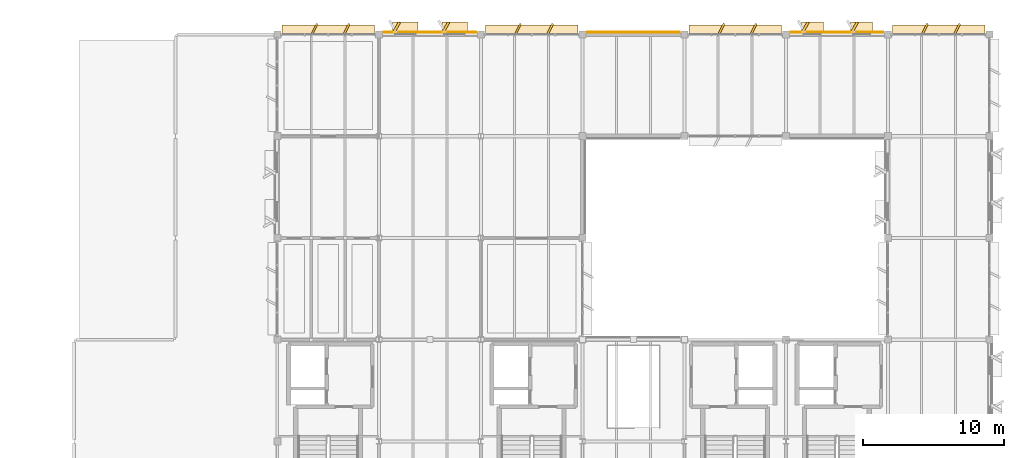
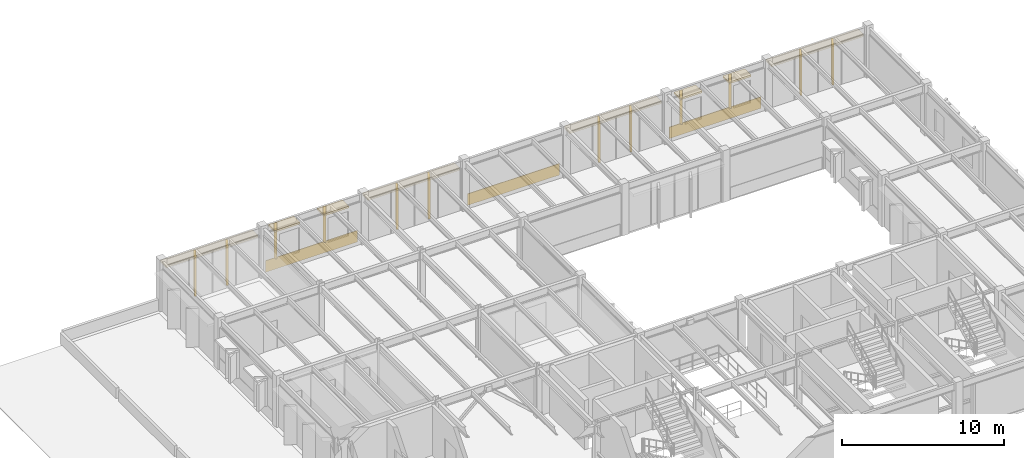
# One storey, part 23 of 23: 23 coverings.
"""IFC4 building model written with IfcOpenShell, lengths in metres."""

from ifc_helpers import new_model, si_unit, direction, frame, frame_2d, origin, place, context, subcontext, project, spatial, rectangle, extrude, material, layer, layer_set, type_object, element, save


model = new_model("IFC4")

# Units and contexts
model_context = context("Model", 3, precision=1e-05, world=origin(), true_north=direction((0.0, 1.0)))
body_context = subcontext(model_context, "Body", "Model", "MODEL_VIEW")
ifc_project = project(units=[si_unit("LENGTHUNIT", "METRE"), si_unit("AREAUNIT", "SQUARE_METRE"), si_unit("VOLUMEUNIT", "CUBIC_METRE"), si_unit("PLANEANGLEUNIT", "RADIAN"), si_unit("MASSUNIT", "GRAM", prefix="KILO")], contexts=[model_context])

# Site, building, storey
site_placement = place(None, origin())
site = spatial("IfcSite", under=ifc_project, at=site_placement, CompositionType="ELEMENT")
building_placement = place(site_placement, origin())
building = spatial("IfcBuilding", under=site, at=building_placement, Name="Sillqori Civic Hall", CompositionType="ELEMENT")
storey_placement = place(building_placement, frame((0.0, 0.0, 21.89990234375)))
storey = spatial("IfcBuildingStorey", under=building, at=storey_placement, Name="L06", CompositionType="ELEMENT", Elevation=21.89990234375)

# Coverings
ifc_material = material(Name="Cochabamba Honed Limestone Cladding", Category="masonry")
ifc_layer = layer(ifc_material, 0.044921875)
ifc_layer_set = layer_set([ifc_layer], Name="Cochabamba Honed Limestone Cladding")
covering_type = type_object("IfcCoveringType", Name="COV-CLAD-LIME", PredefinedType="CLADDING", material=ifc_layer_set)
covering_1_placement = place(storey_placement, frame((50.72998046875, 115.52001953125, 2.9921875), z_axis=(0.0, 0.0, 1.0), x_axis=(1.0, 0.0, 0.0)))
element("IfcCovering", 1, at=covering_1_placement, inside=storey, type_object=covering_type, Name="L06 curtain-wall limestone solar hood L06-07-15-N", PredefinedType="CLADDING", context=body_context, shape_type="SweptSolid", body=[
    extrude(rectangle(XDim=6.5400390625, YDim=0.679931640625, at=frame_2d((3.27001953125, 0.0))), origin(), (0.0, 0.0, 1.0), 0.179931640625),
])
for number, where, z_axis, x_axis, name in (
    (2, (52.861083984375, 115.25, 0.06005859375), (0.0, 0.0, 1.0), (0.44709226377, 0.894487846579, 0.0), "L06 curtain-wall angled stone fin L06-07-15-N.1"),
    (3, (55.138916015625, 115.25, 0.06005859375), (0.0, 0.0, 1.0), (0.447334902547, 0.894366527193, 0.0), "L06 curtain-wall angled stone fin L06-07-15-N.2"),
):
    element("IfcCovering", number, at=place(storey_placement, frame(where, z_axis=z_axis, x_axis=x_axis)), inside=storey, type_object=covering_type, Name=name, PredefinedType="CLADDING", context=body_context, shape_type="SweptSolid", body=[
        extrude(rectangle(XDim=0.804931640625, YDim=0.139892578125, at=frame_2d((0.40234375, 0.0))), origin(), (0.0, 0.0, 1.0), 2.93212890625),
    ])
covering_2_placement = place(storey_placement, frame((57.929931640625, 115.360107421875, 0.0400390625), z_axis=(0.0, 0.0, 1.0), x_axis=(1.0, 0.0, 0.0)))
element("IfcCovering", 4, at=covering_2_placement, inside=storey, type_object=covering_type, Name="L06 limestone spandrel cladding L06-08-15-N", PredefinedType="CLADDING", context=body_context, shape_type="SweptSolid", body=[
    extrude(rectangle(XDim=6.5400390625, YDim=0.044921875, at=frame_2d((3.27001953125, 0.0))), origin(), (0.0, 0.0, 1.0), 0.860107421875),
])
covering_3_placement = place(storey_placement, frame((58.613037109375, 115.320068359375, 0.830078125), z_axis=(0.0, 0.0, 1.0), x_axis=(0.500062241894, 0.865989465428, 0.0)))
element("IfcCovering", 5, at=covering_3_placement, inside=storey, type_object=covering_type, Name="Sawtooth limestone angled reveal cheek L06-08-15-N.1", PredefinedType="CLADDING", context=body_context, shape_type="SweptSolid", body=[
    extrude(rectangle(XDim=0.85009765625, YDim=0.179931640625, at=frame_2d((0.425048828125, 0.0))), origin(), (0.0, 0.0, 1.0), 2.14990234375),
])
covering_4_placement = place(storey_placement, frame((58.552978515625, 115.699951171875, 2.840087890625), z_axis=(0.0, 0.0, 1.0), x_axis=(1.0, 0.0, 0.0)))
element("IfcCovering", 6, at=covering_4_placement, inside=storey, type_object=covering_type, Name="Sawtooth limestone window hood L06-08-15-N.1", PredefinedType="CLADDING", context=body_context, shape_type="SweptSolid", body=[
    extrude(rectangle(XDim=1.81005859375, YDim=0.780029296875, at=frame_2d((0.905029296875, 0.0))), origin(), (0.0, 0.0, 1.0), 0.139892578125),
])
covering_5_placement = place(storey_placement, frame((62.096923828125, 115.320068359375, 0.830078125), z_axis=(0.0, 0.0, 1.0), x_axis=(0.500062241894, 0.865989465428, 0.0)))
element("IfcCovering", 7, at=covering_5_placement, inside=storey, type_object=covering_type, Name="Sawtooth limestone angled reveal cheek L06-08-15-N.2", PredefinedType="CLADDING", context=body_context, shape_type="SweptSolid", body=[
    extrude(rectangle(XDim=0.85009765625, YDim=0.179931640625, at=frame_2d((0.425048828125, 0.0))), origin(), (0.0, 0.0, 1.0), 2.14990234375),
])
covering_6_placement = place(storey_placement, frame((62.037109375, 115.699951171875, 2.840087890625), z_axis=(0.0, 0.0, 1.0), x_axis=(1.0, 0.0, 0.0)))
element("IfcCovering", 8, at=covering_6_placement, inside=storey, type_object=covering_type, Name="Sawtooth limestone window hood L06-08-15-N.2", PredefinedType="CLADDING", context=body_context, shape_type="SweptSolid", body=[
    extrude(rectangle(XDim=1.809814453125, YDim=0.780029296875, at=frame_2d((0.90478515625, 0.0))), origin(), (0.0, 0.0, 1.0), 0.139892578125),
])
covering_7_placement = place(storey_placement, frame((65.1298828125, 115.52001953125, 3.01220703125), z_axis=(0.0, 0.0, 1.0), x_axis=(1.0, 0.0, 0.0)))
element("IfcCovering", 9, at=covering_7_placement, inside=storey, type_object=covering_type, Name="L06 curtain-wall limestone solar hood L06-09-15-N", PredefinedType="CLADDING", context=body_context, shape_type="SweptSolid", body=[
    extrude(rectangle(XDim=6.5400390625, YDim=0.679931640625, at=frame_2d((3.27001953125, 0.0))), origin(), (0.0, 0.0, 1.0), 0.179931640625),
])
for number, where, z_axis, x_axis, name in (
    (10, (67.260986328125, 115.25, 0.06005859375), (0.0, 0.0, 1.0), (0.447334902547, 0.894366527193, 0.0), "L06 curtain-wall angled stone fin L06-09-15-N.1"),
    (11, (69.5390625, 115.25, 0.06005859375), (0.0, 0.0, 1.0), (0.44709226377, 0.894487846579, 0.0), "L06 curtain-wall angled stone fin L06-09-15-N.2"),
):
    element("IfcCovering", number, at=place(storey_placement, frame(where, z_axis=z_axis, x_axis=x_axis)), inside=storey, type_object=covering_type, Name=name, PredefinedType="CLADDING", context=body_context, shape_type="SweptSolid", body=[
        extrude(rectangle(XDim=0.804931640625, YDim=0.139892578125, at=frame_2d((0.40234375, 0.0))), origin(), (0.0, 0.0, 1.0), 2.9521484375),
    ])
covering_8_placement = place(storey_placement, frame((72.330078125, 115.360107421875, 0.0400390625), z_axis=(0.0, 0.0, 1.0), x_axis=(1.0, 0.0, 0.0)))
element("IfcCovering", 12, at=covering_8_placement, inside=storey, type_object=covering_type, Name="L06 limestone spandrel cladding L06-10-15-N", PredefinedType="CLADDING", context=body_context, shape_type="SweptSolid", body=[
    extrude(rectangle(XDim=6.5400390625, YDim=0.044921875, at=frame_2d((3.27001953125, 0.0))), origin(), (0.0, 0.0, 1.0), 0.860107421875),
])
covering_9_placement = place(storey_placement, frame((79.530029296875, 115.52001953125, 3.01220703125), z_axis=(0.0, 0.0, 1.0), x_axis=(1.0, 0.0, 0.0)))
element("IfcCovering", 13, at=covering_9_placement, inside=storey, type_object=covering_type, Name="L06 curtain-wall limestone solar hood L06-11-15-N", PredefinedType="CLADDING", context=body_context, shape_type="SweptSolid", body=[
    extrude(rectangle(XDim=6.5400390625, YDim=0.679931640625, at=frame_2d((3.27001953125, 0.0))), origin(), (0.0, 0.0, 1.0), 0.179931640625),
])
for number, where, z_axis, x_axis, name in (
    (14, (81.660888671875, 115.25, 0.06005859375), (0.0, 0.0, 1.0), (0.447334902547, 0.894366527193, 0.0), "L06 curtain-wall angled stone fin L06-11-15-N.1"),
    (15, (83.93896484375, 115.25, 0.06005859375), (0.0, 0.0, 1.0), (0.447334902547, 0.894366527193, 0.0), "L06 curtain-wall angled stone fin L06-11-15-N.2"),
):
    element("IfcCovering", number, at=place(storey_placement, frame(where, z_axis=z_axis, x_axis=x_axis)), inside=storey, type_object=covering_type, Name=name, PredefinedType="CLADDING", context=body_context, shape_type="SweptSolid", body=[
        extrude(rectangle(XDim=0.804931640625, YDim=0.139892578125, at=frame_2d((0.40234375, 0.0))), origin(), (0.0, 0.0, 1.0), 2.9521484375),
    ])
covering_10_placement = place(storey_placement, frame((86.72998046875, 115.360107421875, 0.0400390625), z_axis=(0.0, 0.0, 1.0), x_axis=(1.0, 0.0, 0.0)))
element("IfcCovering", 16, at=covering_10_placement, inside=storey, type_object=covering_type, Name="L06 limestone spandrel cladding L06-12-15-N", PredefinedType="CLADDING", context=body_context, shape_type="SweptSolid", body=[
    extrude(rectangle(XDim=6.5400390625, YDim=0.044921875, at=frame_2d((3.27001953125, 0.0))), origin(), (0.0, 0.0, 1.0), 0.860107421875),
])
covering_11_placement = place(storey_placement, frame((87.5380859375, 115.320068359375, 0.830078125), z_axis=(0.0, 0.0, 1.0), x_axis=(0.499846793097, 0.866113839764, 0.0)))
element("IfcCovering", 17, at=covering_11_placement, inside=storey, type_object=covering_type, Name="Sawtooth limestone angled reveal cheek L06-12-15-N.1", PredefinedType="CLADDING", context=body_context, shape_type="SweptSolid", body=[
    extrude(rectangle(XDim=0.849853515625, YDim=0.179931640625, at=frame_2d((0.4248046875, 0.0))), origin(), (0.0, 0.0, 1.0), 2.0),
])
covering_12_placement = place(storey_placement, frame((87.47802734375, 115.699951171875, 2.690185546875), z_axis=(0.0, 0.0, 1.0), x_axis=(1.0, 0.0, 0.0)))
element("IfcCovering", 18, at=covering_12_placement, inside=storey, type_object=covering_type, Name="Sawtooth limestone window hood L06-12-15-N.1", PredefinedType="CLADDING", context=body_context, shape_type="SweptSolid", body=[
    extrude(rectangle(XDim=1.56005859375, YDim=0.780029296875, at=frame_2d((0.780029296875, 0.0))), origin(), (0.0, 0.0, 1.0), 0.139892578125),
])
covering_13_placement = place(storey_placement, frame((91.02197265625, 115.320068359375, 0.830078125), z_axis=(0.0, 0.0, 1.0), x_axis=(0.500062241894, 0.865989465428, 0.0)))
element("IfcCovering", 19, at=covering_13_placement, inside=storey, type_object=covering_type, Name="Sawtooth limestone angled reveal cheek L06-12-15-N.2", PredefinedType="CLADDING", context=body_context, shape_type="SweptSolid", body=[
    extrude(rectangle(XDim=0.85009765625, YDim=0.179931640625, at=frame_2d((0.425048828125, 0.0))), origin(), (0.0, 0.0, 1.0), 2.0),
])
covering_14_placement = place(storey_placement, frame((90.9619140625, 115.699951171875, 2.690185546875), z_axis=(0.0, 0.0, 1.0), x_axis=(1.0, 0.0, 0.0)))
element("IfcCovering", 20, at=covering_14_placement, inside=storey, type_object=covering_type, Name="Sawtooth limestone window hood L06-12-15-N.2", PredefinedType="CLADDING", context=body_context, shape_type="SweptSolid", body=[
    extrude(rectangle(XDim=1.56005859375, YDim=0.780029296875, at=frame_2d((0.780029296875, 0.0))), origin(), (0.0, 0.0, 1.0), 0.139892578125),
])
covering_15_placement = place(storey_placement, frame((93.929931640625, 115.52001953125, 3.01220703125), z_axis=(0.0, 0.0, 1.0), x_axis=(1.0, 0.0, 0.0)))
element("IfcCovering", 21, at=covering_15_placement, inside=storey, type_object=covering_type, Name="L06 curtain-wall limestone solar hood L06-13-15-N", PredefinedType="CLADDING", context=body_context, shape_type="SweptSolid", body=[
    extrude(rectangle(XDim=6.5400390625, YDim=0.679931640625, at=frame_2d((3.27001953125, 0.0))), origin(), (0.0, 0.0, 1.0), 0.179931640625),
])
for number, where, z_axis, x_axis, name in (
    (22, (96.06103515625, 115.25, 0.06005859375), (0.0, 0.0, 1.0), (0.44709226377, 0.894487846579, 0.0), "L06 curtain-wall angled stone fin L06-13-15-N.1"),
    (23, (98.339111328125, 115.25, 0.06005859375), (0.0, 0.0, 1.0), (0.44709226377, 0.894487846579, 0.0), "L06 curtain-wall angled stone fin L06-13-15-N.2"),
):
    element("IfcCovering", number, at=place(storey_placement, frame(where, z_axis=z_axis, x_axis=x_axis)), inside=storey, type_object=covering_type, Name=name, PredefinedType="CLADDING", context=body_context, shape_type="SweptSolid", body=[
        extrude(rectangle(XDim=0.804931640625, YDim=0.139892578125, at=frame_2d((0.40234375, 0.0))), origin(), (0.0, 0.0, 1.0), 2.9521484375),
    ])

save(model, "model.ifc")
